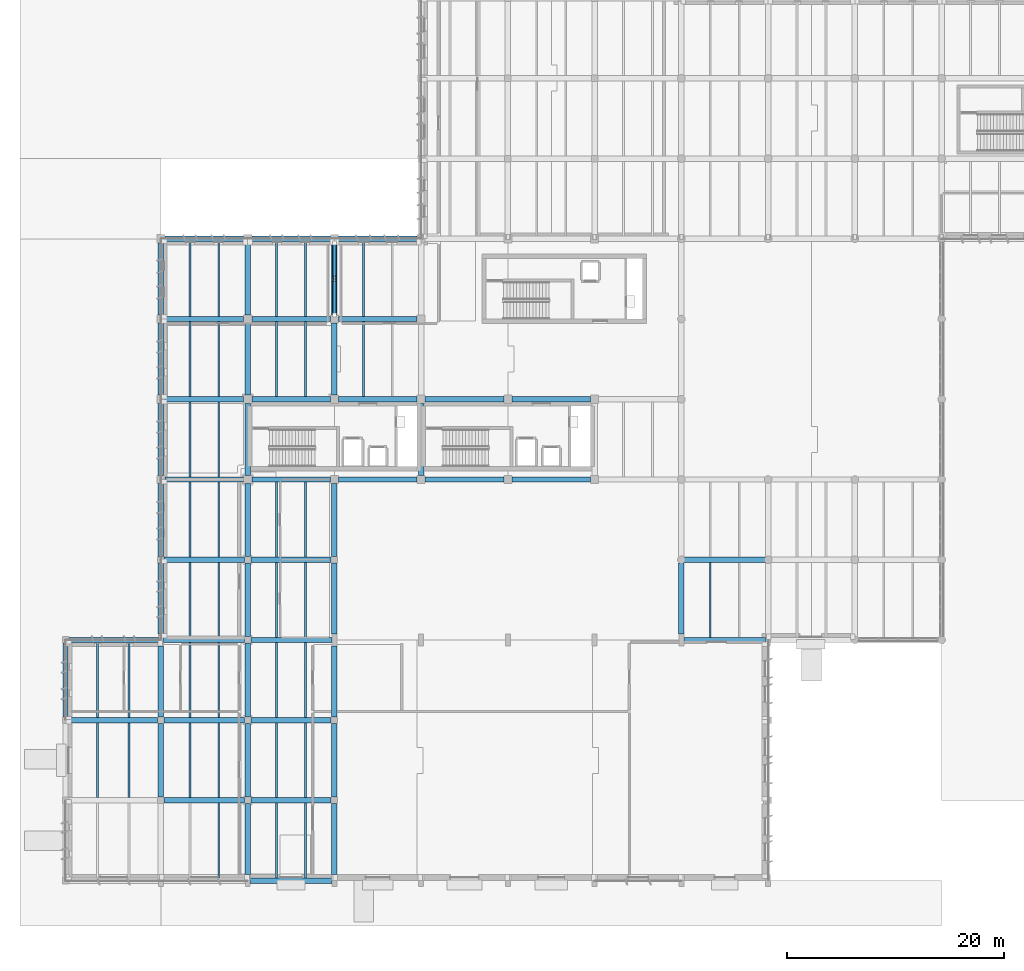
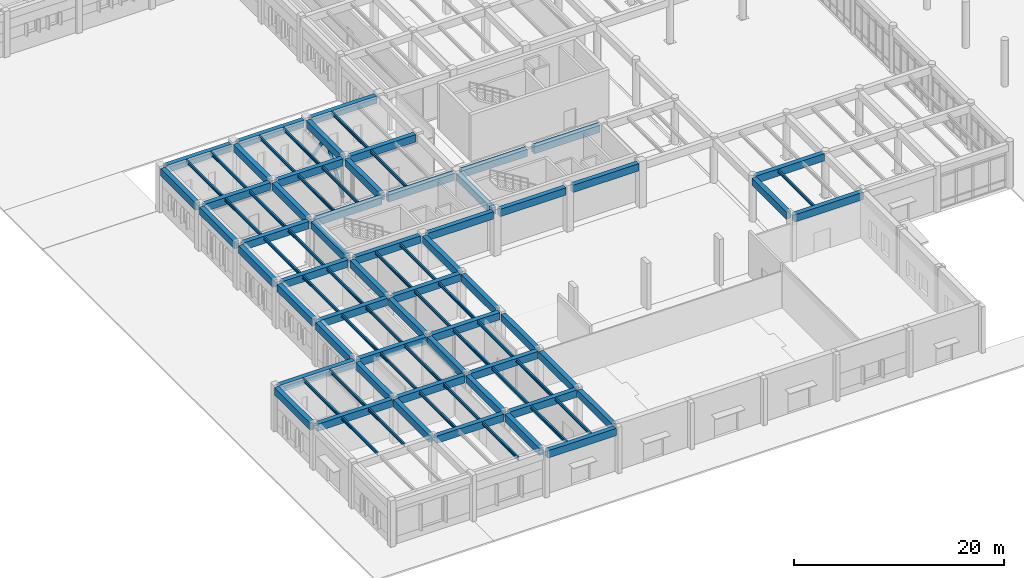
# One storey, part 2 of 56: 90 beams, 2 members.
"""IFC4 building model written with IfcOpenShell, lengths in metres."""

from ifc_helpers import new_model, si_unit, direction, frame, origin, origin_2d, place, context, subcontext, project, spatial, rectangle, hollow_circle, i_section, extrude, material, material_profile, profile_set, type_object, element, save


model = new_model("IFC4")

# Units and contexts
model_context = context("Model", 3, precision=1e-05, world=origin(), true_north=direction((0.0, 1.0)))
body_context = subcontext(model_context, "Body", "Model", "MODEL_VIEW")
ifc_project = project(units=[si_unit("LENGTHUNIT", "METRE"), si_unit("AREAUNIT", "SQUARE_METRE"), si_unit("VOLUMEUNIT", "CUBIC_METRE"), si_unit("PLANEANGLEUNIT", "RADIAN"), si_unit("MASSUNIT", "GRAM", prefix="KILO")], contexts=[model_context])

# Site, building, storey
site_placement = place(None, origin())
site = spatial("IfcSite", under=ifc_project, at=site_placement, CompositionType="ELEMENT")
building_placement = place(site_placement, origin())
building = spatial("IfcBuilding", under=site, at=building_placement, Name="Valkorina Park Police Headquarters", CompositionType="ELEMENT")
storey_placement = place(building_placement, origin())
storey = spatial("IfcBuildingStorey", under=building, at=storey_placement, Name="L01", CompositionType="ELEMENT", Elevation=0.0)

# Beams
ifc_material_1 = material(Name="Concrete C40/50", Category="concrete")
ifc_material_profile_1 = material_profile(ifc_material_1, rectangle(XDim=0.5, YDim=0.85009765625, at=origin_2d()), Name="RC BEAM 500x850")
ifc_profile_set_1 = profile_set([ifc_material_profile_1], Name="Concrete C40/50")
beam_type_1 = type_object("IfcBeamType", Name="BM-RC-500x850-EXT", PredefinedType="SPANDREL", material=ifc_profile_set_1)
beam_1_placement = place(storey_placement, frame((17.02490234375, 0.0, 4.715087890625), z_axis=(1.0, 0.0, 0.0), x_axis=(0.0, 1.0, 0.0)))
element("IfcBeam", 1, at=beam_1_placement, inside=storey, type_object=beam_type_1, Name="L01 Framing Beam 0706", PredefinedType="SPANDREL", context=body_context, shape_type="SweptSolid", body=[
    extrude(rectangle(XDim=0.5, YDim=0.85009765625, at=origin_2d()), origin(), (0.0, 0.0, 1.0), 7.550048828125),
])
beam_2_placement = place(storey_placement, frame((0.300048828125, 22.199951171875, 4.715087890625), z_axis=(1.0, 0.0, 0.0), x_axis=(0.0, 1.0, 0.0)))
element("IfcBeam", 2, at=beam_2_placement, inside=storey, type_object=beam_type_1, Name="L01 Framing Beam 0719", PredefinedType="SPANDREL", context=body_context, shape_type="SweptSolid", body=[
    extrude(rectangle(XDim=0.5, YDim=0.85009765625, at=origin_2d()), origin(), (0.0, 0.0, 1.0), 8.27490234375),
])
beam_3_placement = place(storey_placement, frame((57.02490234375, 22.199951171875, 4.715087890625), z_axis=(1.0, 0.0, 0.0), x_axis=(0.0, 1.0, 0.0)))
element("IfcBeam", 3, at=beam_3_placement, inside=storey, type_object=beam_type_1, Name="L01 Framing Beam 0722", PredefinedType="SPANDREL", context=body_context, shape_type="SweptSolid", body=[
    extrude(rectangle(XDim=0.5, YDim=0.85009765625, at=origin_2d()), origin(), (0.0, 0.0, 1.0), 7.550048828125),
])
for number, where, z_axis, x_axis, name in (
    (4, (25.175048828125, 37.0, 4.715087890625), (1.0, 0.0, 0.0), (0.0, 1.0, 0.0), "L01 Framing Beam 0738"),
    (5, (33.175048828125, 37.0, 4.715087890625), (1.0, 0.0, 0.0), (0.0, 1.0, 0.0), "L01 Framing Beam 0739"),
    (6, (41.175048828125, 37.0, 4.715087890625), (1.0, 0.0, 0.0), (0.0, 1.0, 0.0), "L01 Framing Beam 0740"),
    (7, (9.175048828125, 59.199951171875, 4.715087890625), (1.0, 0.0, 0.0), (0.0, 1.0, 0.0), "L01 Framing Beam 0763"),
    (8, (17.175048828125, 59.199951171875, 4.715087890625), (1.0, 0.0, 0.0), (0.0, 1.0, 0.0), "L01 Framing Beam 0764"),
    (9, (25.175048828125, 59.199951171875, 4.715087890625), (1.0, 0.0, 0.0), (0.0, 1.0, 0.0), "L01 Framing Beam 0765"),
):
    element("IfcBeam", number, at=place(storey_placement, frame(where, z_axis=z_axis, x_axis=x_axis)), inside=storey, type_object=beam_type_1, Name=name, PredefinedType="SPANDREL", context=body_context, shape_type="SweptSolid", body=[
        extrude(rectangle(XDim=0.5, YDim=0.85009765625, at=origin_2d()), origin(), (0.0, 0.0, 1.0), 7.25),
    ])
beam_4_placement = place(storey_placement, frame((0.0, 15.10009765625, 4.715087890625), z_axis=(0.0, 1.0, 0.0), x_axis=(-1.0, 0.0, 0.0)))
element("IfcBeam", 10, at=beam_4_placement, inside=storey, type_object=beam_type_1, Name="L01 Framing Beam 0873", PredefinedType="SPANDREL", context=body_context, shape_type="SweptSolid", body=[
    extrude(rectangle(XDim=0.5, YDim=0.85009765625, at=origin_2d()), origin(), (0.0, 0.0, 1.0), 6.7998046875),
])
beam_5_placement = place(storey_placement, frame((8.800048828125, 22.75, 4.715087890625), z_axis=(0.0, 1.0, 0.0), x_axis=(-1.0, 0.0, 0.0)))
element("IfcBeam", 11, at=beam_5_placement, inside=storey, type_object=beam_type_1, Name="L01 Framing Beam 0894", PredefinedType="SPANDREL", context=body_context, shape_type="SweptSolid", body=[
    extrude(rectangle(XDim=0.5, YDim=0.85009765625, at=origin_2d()), origin(), (0.0, 0.0, 1.0), 6.550048828125),
])
beam_6_placement = place(storey_placement, frame((8.800048828125, 29.89990234375, 4.715087890625), z_axis=(0.0, 1.0, 0.0), x_axis=(-1.0, 0.0, 0.0)))
element("IfcBeam", 12, at=beam_6_placement, inside=storey, type_object=beam_type_1, Name="L01 Framing Beam 0897", PredefinedType="SPANDREL", context=body_context, shape_type="SweptSolid", body=[
    extrude(rectangle(XDim=0.5, YDim=0.85009765625, at=origin_2d()), origin(), (0.0, 0.0, 1.0), 6.72509765625),
])
beam_7_placement = place(storey_placement, frame((8.800048828125, 37.375, 4.715087890625), z_axis=(0.0, 1.0, 0.0), x_axis=(-1.0, 0.0, 0.0)))
element("IfcBeam", 13, at=beam_7_placement, inside=storey, type_object=beam_type_1, Name="L01 Framing Beam 0900", PredefinedType="SPANDREL", context=body_context, shape_type="SweptSolid", body=[
    extrude(rectangle(XDim=0.5, YDim=0.85009765625, at=origin_2d()), origin(), (0.0, 0.0, 1.0), 6.64990234375),
])
beam_8_placement = place(storey_placement, frame((8.800048828125, 44.77490234375, 4.715087890625), z_axis=(0.0, 1.0, 0.0), x_axis=(-1.0, 0.0, 0.0)))
element("IfcBeam", 14, at=beam_8_placement, inside=storey, type_object=beam_type_1, Name="L01 Framing Beam 0903", PredefinedType="SPANDREL", context=body_context, shape_type="SweptSolid", body=[
    extrude(rectangle(XDim=0.5, YDim=0.85009765625, at=origin_2d()), origin(), (0.0, 0.0, 1.0), 6.650146484375),
])
beam_9_placement = place(storey_placement, frame((8.800048828125, 52.175048828125, 4.715087890625), z_axis=(0.0, 1.0, 0.0), x_axis=(-1.0, 0.0, 0.0)))
element("IfcBeam", 15, at=beam_9_placement, inside=storey, type_object=beam_type_1, Name="L01 Framing Beam 0906", PredefinedType="SPANDREL", context=body_context, shape_type="SweptSolid", body=[
    extrude(rectangle(XDim=0.5, YDim=0.85009765625, at=origin_2d()), origin(), (0.0, 0.0, 1.0), 6.64990234375),
])
beam_10_placement = place(storey_placement, frame((24.800048828125, 0.550048828125, 4.715087890625), z_axis=(0.0, 1.0, 0.0), x_axis=(-1.0, 0.0, 0.0)))
element("IfcBeam", 16, at=beam_10_placement, inside=storey, type_object=beam_type_1, Name="L01 Framing Beam 0949", PredefinedType="SPANDREL", context=body_context, shape_type="SweptSolid", body=[
    extrude(rectangle(XDim=0.5, YDim=0.85009765625, at=origin_2d()), origin(), (0.0, 0.0, 1.0), 6.550048828125),
])
beam_11_placement = place(storey_placement, frame((24.800048828125, 7.699951171875, 4.715087890625), z_axis=(0.0, 1.0, 0.0), x_axis=(-1.0, 0.0, 0.0)))
element("IfcBeam", 17, at=beam_11_placement, inside=storey, type_object=beam_type_1, Name="L01 Framing Beam 0950", PredefinedType="SPANDREL", context=body_context, shape_type="SweptSolid", body=[
    extrude(rectangle(XDim=0.5, YDim=0.85009765625, at=origin_2d()), origin(), (0.0, 0.0, 1.0), 6.800048828125),
])
beam_12_placement = place(storey_placement, frame((24.800048828125, 15.10009765625, 4.715087890625), z_axis=(0.0, 1.0, 0.0), x_axis=(-1.0, 0.0, 0.0)))
element("IfcBeam", 18, at=beam_12_placement, inside=storey, type_object=beam_type_1, Name="L01 Framing Beam 0951", PredefinedType="SPANDREL", context=body_context, shape_type="SweptSolid", body=[
    extrude(rectangle(XDim=0.5, YDim=0.85009765625, at=origin_2d()), origin(), (0.0, 0.0, 1.0), 6.5498046875),
])
beam_13_placement = place(storey_placement, frame((24.800048828125, 22.75, 4.715087890625), z_axis=(0.0, 1.0, 0.0), x_axis=(-1.0, 0.0, 0.0)))
element("IfcBeam", 19, at=beam_13_placement, inside=storey, type_object=beam_type_1, Name="L01 Framing Beam 0952", PredefinedType="SPANDREL", context=body_context, shape_type="SweptSolid", body=[
    extrude(rectangle(XDim=0.5, YDim=0.85009765625, at=origin_2d()), origin(), (0.0, 0.0, 1.0), 6.550048828125),
])
beam_14_placement = place(storey_placement, frame((24.800048828125, 29.89990234375, 4.715087890625), z_axis=(0.0, 1.0, 0.0), x_axis=(-1.0, 0.0, 0.0)))
element("IfcBeam", 20, at=beam_14_placement, inside=storey, type_object=beam_type_1, Name="L01 Framing Beam 0953", PredefinedType="SPANDREL", context=body_context, shape_type="SweptSolid", body=[
    extrude(rectangle(XDim=0.5, YDim=0.85009765625, at=origin_2d()), origin(), (0.0, 0.0, 1.0), 6.72509765625),
])
beam_15_placement = place(storey_placement, frame((56.800048828125, 22.75, 4.715087890625), z_axis=(0.0, 1.0, 0.0), x_axis=(-1.0, 0.0, 0.0)))
element("IfcBeam", 21, at=beam_15_placement, inside=storey, type_object=beam_type_1, Name="L01 Framing Beam 1022", PredefinedType="SPANDREL", context=body_context, shape_type="SweptSolid", body=[
    extrude(rectangle(XDim=0.5, YDim=0.85009765625, at=origin_2d()), origin(), (0.0, 0.0, 1.0), 6.53369140625),
])
ifc_material_profile_2 = material_profile(ifc_material_1, rectangle(XDim=0.5, YDim=0.85009765625, at=origin_2d()), Name="RC BEAM 500x850")
ifc_profile_set_2 = profile_set([ifc_material_profile_2], Name="Concrete C40/50")
beam_type_2 = type_object("IfcBeamType", Name="BM-RC-500x850-INT", PredefinedType="BEAM", material=ifc_profile_set_2)
for number, where, z_axis, x_axis, name in (
    (22, (9.10009765625, 7.39990234375, 4.715087890625), (1.0, 0.0, 0.0), (0.0, 1.0, 0.0), "L01 Framing Beam 0708"),
    (23, (17.10009765625, 7.39990234375, 4.715087890625), (1.0, 0.0, 0.0), (0.0, 1.0, 0.0), "L01 Framing Beam 0709"),
):
    element("IfcBeam", number, at=place(storey_placement, frame(where, z_axis=z_axis, x_axis=x_axis)), inside=storey, type_object=beam_type_2, Name=name, PredefinedType="BEAM", context=body_context, shape_type="SweptSolid", body=[
        extrude(rectangle(XDim=0.5, YDim=0.85009765625, at=origin_2d()), origin(), (0.0, 0.0, 1.0), 7.39990234375),
    ])
beam_16_placement = place(storey_placement, frame((0.300048828125, 14.800048828125, 4.715087890625), z_axis=(1.0, 0.0, 0.0), x_axis=(0.0, 1.0, 0.0)))
element("IfcBeam", 24, at=beam_16_placement, inside=storey, type_object=beam_type_2, Name="L01 Framing Beam 0713", PredefinedType="BEAM", context=body_context, shape_type="SweptSolid", body=[
    extrude(rectangle(XDim=0.5, YDim=0.85009765625, at=origin_2d()), origin(), (0.0, 0.0, 1.0), 8.199951171875),
])
for number, where, z_axis, x_axis, name in (
    (25, (9.10009765625, 14.800048828125, 4.715087890625), (1.0, 0.0, 0.0), (0.0, 1.0, 0.0), "L01 Framing Beam 0714"),
    (26, (17.10009765625, 14.800048828125, 4.715087890625), (1.0, 0.0, 0.0), (0.0, 1.0, 0.0), "L01 Framing Beam 0715"),
):
    element("IfcBeam", number, at=place(storey_placement, frame(where, z_axis=z_axis, x_axis=x_axis)), inside=storey, type_object=beam_type_2, Name=name, PredefinedType="BEAM", context=body_context, shape_type="SweptSolid", body=[
        extrude(rectangle(XDim=0.5, YDim=0.85009765625, at=origin_2d()), origin(), (0.0, 0.0, 1.0), 7.39990234375),
    ])
beam_17_placement = place(storey_placement, frame((9.02490234375, 22.199951171875, 4.715087890625), z_axis=(1.0, 0.0, 0.0), x_axis=(0.0, 1.0, 0.0)))
element("IfcBeam", 27, at=beam_17_placement, inside=storey, type_object=beam_type_2, Name="L01 Framing Beam 0720", PredefinedType="BEAM", context=body_context, shape_type="SweptSolid", body=[
    extrude(rectangle(XDim=0.5, YDim=0.85009765625, at=origin_2d()), origin(), (0.0, 0.0, 1.0), 7.47509765625),
])
beam_18_placement = place(storey_placement, frame((17.10009765625, 22.199951171875, 4.715087890625), z_axis=(1.0, 0.0, 0.0), x_axis=(0.0, 1.0, 0.0)))
element("IfcBeam", 28, at=beam_18_placement, inside=storey, type_object=beam_type_2, Name="L01 Framing Beam 0721", PredefinedType="BEAM", context=body_context, shape_type="SweptSolid", body=[
    extrude(rectangle(XDim=0.5, YDim=0.85009765625, at=origin_2d()), origin(), (0.0, 0.0, 1.0), 7.474853515625),
])
for number, where, z_axis, x_axis, name in (
    (29, (9.10009765625, 29.60009765625, 4.715087890625), (1.0, 0.0, 0.0), (0.0, 1.0, 0.0), "L01 Framing Beam 0728"),
    (30, (17.10009765625, 29.60009765625, 4.715087890625), (1.0, 0.0, 0.0), (0.0, 1.0, 0.0), "L01 Framing Beam 0729"),
):
    element("IfcBeam", number, at=place(storey_placement, frame(where, z_axis=z_axis, x_axis=x_axis)), inside=storey, type_object=beam_type_2, Name=name, PredefinedType="BEAM", context=body_context, shape_type="SweptSolid", body=[
        extrude(rectangle(XDim=0.5, YDim=0.85009765625, at=origin_2d()), origin(), (0.0, 0.0, 1.0), 7.39990234375),
    ])
beam_19_placement = place(storey_placement, frame((57.044921875, 29.60009765625, 4.715087890625), z_axis=(1.0, 0.0, 0.0), x_axis=(0.0, 1.0, 0.0)))
element("IfcBeam", 31, at=beam_19_placement, inside=storey, type_object=beam_type_2, Name="L01 Framing Beam 0730", PredefinedType="BEAM", context=body_context, shape_type="SweptSolid", body=[
    extrude(rectangle(XDim=0.5, YDim=0.85009765625, at=origin_2d()), origin(), (0.0, 0.0, 1.0), 7.51025390625),
])
for number, where, z_axis, x_axis, name in (
    (32, (9.175048828125, 37.0, 4.715087890625), (1.0, 0.0, 0.0), (0.0, 1.0, 0.0), "L01 Framing Beam 0736"),
    (33, (17.175048828125, 37.0, 4.715087890625), (1.0, 0.0, 0.0), (0.0, 1.0, 0.0), "L01 Framing Beam 0737"),
    (34, (9.175048828125, 44.39990234375, 4.715087890625), (1.0, 0.0, 0.0), (0.0, 1.0, 0.0), "L01 Framing Beam 0748"),
    (35, (17.175048828125, 44.39990234375, 4.715087890625), (1.0, 0.0, 0.0), (0.0, 1.0, 0.0), "L01 Framing Beam 0749"),
    (36, (25.175048828125, 44.39990234375, 4.715087890625), (1.0, 0.0, 0.0), (0.0, 1.0, 0.0), "L01 Framing Beam 0750"),
    (37, (33.175048828125, 44.39990234375, 4.715087890625), (1.0, 0.0, 0.0), (0.0, 1.0, 0.0), "L01 Framing Beam 0751"),
    (38, (41.175048828125, 44.39990234375, 4.715087890625), (1.0, 0.0, 0.0), (0.0, 1.0, 0.0), "L01 Framing Beam 0752"),
    (39, (9.175048828125, 51.800048828125, 4.715087890625), (1.0, 0.0, 0.0), (0.0, 1.0, 0.0), "L01 Framing Beam 0757"),
    (40, (17.175048828125, 51.800048828125, 4.715087890625), (1.0, 0.0, 0.0), (0.0, 1.0, 0.0), "L01 Framing Beam 0758"),
    (41, (25.175048828125, 51.800048828125, 4.715087890625), (1.0, 0.0, 0.0), (0.0, 1.0, 0.0), "L01 Framing Beam 0759"),
):
    element("IfcBeam", number, at=place(storey_placement, frame(where, z_axis=z_axis, x_axis=x_axis)), inside=storey, type_object=beam_type_2, Name=name, PredefinedType="BEAM", context=body_context, shape_type="SweptSolid", body=[
        extrude(rectangle(XDim=0.5, YDim=0.85009765625, at=origin_2d()), origin(), (0.0, 0.0, 1.0), 7.25),
    ])
beam_20_placement = place(storey_placement, frame((8.800048828125, 7.699951171875, 4.715087890625), z_axis=(0.0, 1.0, 0.0), x_axis=(-1.0, 0.0, 0.0)))
element("IfcBeam", 42, at=beam_20_placement, inside=storey, type_object=beam_type_2, Name="L01 Framing Beam 0888", PredefinedType="BEAM", context=body_context, shape_type="SweptSolid", body=[
    extrude(rectangle(XDim=0.5, YDim=0.85009765625, at=origin_2d()), origin(), (0.0, 0.0, 1.0), 6.800048828125),
])
beam_21_placement = place(storey_placement, frame((8.800048828125, 15.10009765625, 4.715087890625), z_axis=(0.0, 1.0, 0.0), x_axis=(-1.0, 0.0, 0.0)))
element("IfcBeam", 43, at=beam_21_placement, inside=storey, type_object=beam_type_2, Name="L01 Framing Beam 0891", PredefinedType="BEAM", context=body_context, shape_type="SweptSolid", body=[
    extrude(rectangle(XDim=0.5, YDim=0.85009765625, at=origin_2d()), origin(), (0.0, 0.0, 1.0), 6.5498046875),
])
beam_22_placement = place(storey_placement, frame((16.800048828125, 0.550048828125, 4.715087890625), z_axis=(0.0, 1.0, 0.0), x_axis=(-1.0, 0.0, 0.0)))
element("IfcBeam", 44, at=beam_22_placement, inside=storey, type_object=beam_type_2, Name="L01 Framing Beam 0918", PredefinedType="BEAM", context=body_context, shape_type="SweptSolid", body=[
    extrude(rectangle(XDim=0.5, YDim=0.85009765625, at=origin_2d()), origin(), (0.0, 0.0, 1.0), 6.550048828125),
])
beam_23_placement = place(storey_placement, frame((16.800048828125, 7.699951171875, 4.715087890625), z_axis=(0.0, 1.0, 0.0), x_axis=(-1.0, 0.0, 0.0)))
element("IfcBeam", 45, at=beam_23_placement, inside=storey, type_object=beam_type_2, Name="L01 Framing Beam 0921", PredefinedType="BEAM", context=body_context, shape_type="SweptSolid", body=[
    extrude(rectangle(XDim=0.5, YDim=0.85009765625, at=origin_2d()), origin(), (0.0, 0.0, 1.0), 6.800048828125),
])
beam_24_placement = place(storey_placement, frame((16.800048828125, 15.10009765625, 4.715087890625), z_axis=(0.0, 1.0, 0.0), x_axis=(-1.0, 0.0, 0.0)))
element("IfcBeam", 46, at=beam_24_placement, inside=storey, type_object=beam_type_2, Name="L01 Framing Beam 0924", PredefinedType="BEAM", context=body_context, shape_type="SweptSolid", body=[
    extrude(rectangle(XDim=0.5, YDim=0.85009765625, at=origin_2d()), origin(), (0.0, 0.0, 1.0), 6.7998046875),
])
beam_25_placement = place(storey_placement, frame((16.800048828125, 22.5, 4.715087890625), z_axis=(0.0, 1.0, 0.0), x_axis=(-1.0, 0.0, 0.0)))
element("IfcBeam", 47, at=beam_25_placement, inside=storey, type_object=beam_type_2, Name="L01 Framing Beam 0927", PredefinedType="BEAM", context=body_context, shape_type="SweptSolid", body=[
    extrude(rectangle(XDim=0.5, YDim=0.85009765625, at=origin_2d()), origin(), (0.0, 0.0, 1.0), 6.800048828125),
])
beam_26_placement = place(storey_placement, frame((16.800048828125, 29.89990234375, 4.715087890625), z_axis=(0.0, 1.0, 0.0), x_axis=(-1.0, 0.0, 0.0)))
element("IfcBeam", 48, at=beam_26_placement, inside=storey, type_object=beam_type_2, Name="L01 Framing Beam 0930", PredefinedType="BEAM", context=body_context, shape_type="SweptSolid", body=[
    extrude(rectangle(XDim=0.5, YDim=0.85009765625, at=origin_2d()), origin(), (0.0, 0.0, 1.0), 6.72509765625),
])
beam_27_placement = place(storey_placement, frame((16.800048828125, 37.375, 4.715087890625), z_axis=(0.0, 1.0, 0.0), x_axis=(-1.0, 0.0, 0.0)))
element("IfcBeam", 49, at=beam_27_placement, inside=storey, type_object=beam_type_2, Name="L01 Framing Beam 0933", PredefinedType="BEAM", context=body_context, shape_type="SweptSolid", body=[
    extrude(rectangle(XDim=0.5, YDim=0.85009765625, at=origin_2d()), origin(), (0.0, 0.0, 1.0), 6.64990234375),
])
beam_28_placement = place(storey_placement, frame((16.800048828125, 44.77490234375, 4.715087890625), z_axis=(0.0, 1.0, 0.0), x_axis=(-1.0, 0.0, 0.0)))
element("IfcBeam", 50, at=beam_28_placement, inside=storey, type_object=beam_type_2, Name="L01 Framing Beam 0934", PredefinedType="BEAM", context=body_context, shape_type="SweptSolid", body=[
    extrude(rectangle(XDim=0.5, YDim=0.85009765625, at=origin_2d()), origin(), (0.0, 0.0, 1.0), 6.650146484375),
])
beam_29_placement = place(storey_placement, frame((16.800048828125, 52.175048828125, 4.715087890625), z_axis=(0.0, 1.0, 0.0), x_axis=(-1.0, 0.0, 0.0)))
element("IfcBeam", 51, at=beam_29_placement, inside=storey, type_object=beam_type_2, Name="L01 Framing Beam 0937", PredefinedType="BEAM", context=body_context, shape_type="SweptSolid", body=[
    extrude(rectangle(XDim=0.5, YDim=0.85009765625, at=origin_2d()), origin(), (0.0, 0.0, 1.0), 6.64990234375),
])
beam_30_placement = place(storey_placement, frame((24.800048828125, 44.77490234375, 4.715087890625), z_axis=(0.0, 1.0, 0.0), x_axis=(-1.0, 0.0, 0.0)))
element("IfcBeam", 52, at=beam_30_placement, inside=storey, type_object=beam_type_2, Name="L01 Framing Beam 0954", PredefinedType="BEAM", context=body_context, shape_type="SweptSolid", body=[
    extrude(rectangle(XDim=0.5, YDim=0.85009765625, at=origin_2d()), origin(), (0.0, 0.0, 1.0), 6.650146484375),
])
for number, where, z_axis, x_axis, name in (
    (53, (24.800048828125, 52.175048828125, 4.715087890625), (0.0, 1.0, 0.0), (-1.0, 0.0, 0.0), "L01 Framing Beam 0957"),
    (54, (32.800048828125, 37.375, 4.715087890625), (0.0, 1.0, 0.0), (-1.0, 0.0, 0.0), "L01 Framing Beam 0969"),
):
    element("IfcBeam", number, at=place(storey_placement, frame(where, z_axis=z_axis, x_axis=x_axis)), inside=storey, type_object=beam_type_2, Name=name, PredefinedType="BEAM", context=body_context, shape_type="SweptSolid", body=[
        extrude(rectangle(XDim=0.5, YDim=0.85009765625, at=origin_2d()), origin(), (0.0, 0.0, 1.0), 6.64990234375),
    ])
ifc_material_2 = material(Name="Steel S355", Category="steel")
ifc_material_profile_3 = material_profile(ifc_material_2, i_section(OverallWidth=0.169921875, OverallDepth=0.360107421875, WebThickness=0.008056640625, FlangeThickness=0.0126953125, FilletRadius=0.01806640625, at=origin_2d()), Name="IPE 360")
ifc_profile_set_3 = profile_set([ifc_material_profile_3], Name="Steel S355")
beam_type_3 = type_object("IfcBeamType", Name="BM-S355-IPE360-JST", PredefinedType="JOIST", material=ifc_profile_set_3)
for number, where, z_axis, x_axis, name in (
    (55, (2.933349609375, 7.64990234375, 4.9599609375), (0.0, 1.0, 0.0), (-1.0, 0.0, 0.0), "L01 Framing Beam 0871"),
    (56, (5.86669921875, 7.64990234375, 4.9599609375), (0.0, 1.0, 0.0), (-1.0, 0.0, 0.0), "L01 Framing Beam 0872"),
):
    element("IfcBeam", number, at=place(storey_placement, frame(where, z_axis=z_axis, x_axis=x_axis)), inside=storey, type_object=beam_type_3, Name=name, PredefinedType="JOIST", context=body_context, shape_type="SweptSolid", body=[
        extrude(i_section(OverallWidth=0.169921875, OverallDepth=0.360107421875, WebThickness=0.008056640625, FlangeThickness=0.0126953125, FilletRadius=0.01806640625, at=origin_2d()), origin(), (0.0, 0.0, 1.0), 6.900146484375),
    ])
for number, where, z_axis, x_axis, name in (
    (57, (2.933349609375, 15.050048828125, 4.9599609375), (0.0, 1.0, 0.0), (-1.0, 0.0, 0.0), "L01 Framing Beam 0874"),
    (58, (5.86669921875, 15.050048828125, 4.9599609375), (0.0, 1.0, 0.0), (-1.0, 0.0, 0.0), "L01 Framing Beam 0875"),
    (59, (14.13330078125, 0.25, 4.9599609375), (0.0, 1.0, 0.0), (-1.0, 0.0, 0.0), "L01 Framing Beam 0887"),
):
    element("IfcBeam", number, at=place(storey_placement, frame(where, z_axis=z_axis, x_axis=x_axis)), inside=storey, type_object=beam_type_3, Name=name, PredefinedType="JOIST", context=body_context, shape_type="SweptSolid", body=[
        extrude(i_section(OverallWidth=0.169921875, OverallDepth=0.360107421875, WebThickness=0.008056640625, FlangeThickness=0.0126953125, FilletRadius=0.01806640625, at=origin_2d()), origin(), (0.0, 0.0, 1.0), 6.89990234375),
    ])
for number, where, z_axis, x_axis, name in (
    (60, (11.466796875, 7.64990234375, 4.9599609375), (0.0, 1.0, 0.0), (-1.0, 0.0, 0.0), "L01 Framing Beam 0889"),
    (61, (14.13330078125, 7.64990234375, 4.9599609375), (0.0, 1.0, 0.0), (-1.0, 0.0, 0.0), "L01 Framing Beam 0890"),
):
    element("IfcBeam", number, at=place(storey_placement, frame(where, z_axis=z_axis, x_axis=x_axis)), inside=storey, type_object=beam_type_3, Name=name, PredefinedType="JOIST", context=body_context, shape_type="SweptSolid", body=[
        extrude(i_section(OverallWidth=0.169921875, OverallDepth=0.360107421875, WebThickness=0.008056640625, FlangeThickness=0.0126953125, FilletRadius=0.01806640625, at=origin_2d()), origin(), (0.0, 0.0, 1.0), 6.900146484375),
    ])
for number, where, z_axis, x_axis, name in (
    (62, (11.466796875, 15.050048828125, 4.9599609375), (0.0, 1.0, 0.0), (-1.0, 0.0, 0.0), "L01 Framing Beam 0892"),
    (63, (14.13330078125, 15.050048828125, 4.9599609375), (0.0, 1.0, 0.0), (-1.0, 0.0, 0.0), "L01 Framing Beam 0893"),
):
    element("IfcBeam", number, at=place(storey_placement, frame(where, z_axis=z_axis, x_axis=x_axis)), inside=storey, type_object=beam_type_3, Name=name, PredefinedType="JOIST", context=body_context, shape_type="SweptSolid", body=[
        extrude(i_section(OverallWidth=0.169921875, OverallDepth=0.360107421875, WebThickness=0.008056640625, FlangeThickness=0.0126953125, FilletRadius=0.01806640625, at=origin_2d()), origin(), (0.0, 0.0, 1.0), 6.89990234375),
    ])
for number, where, z_axis, x_axis, name in (
    (64, (11.466796875, 22.449951171875, 4.9599609375), (0.0, 1.0, 0.0), (-1.0, 0.0, 0.0), "L01 Framing Beam 0895"),
    (65, (14.13330078125, 22.449951171875, 4.9599609375), (0.0, 1.0, 0.0), (-1.0, 0.0, 0.0), "L01 Framing Beam 0896"),
):
    element("IfcBeam", number, at=place(storey_placement, frame(where, z_axis=z_axis, x_axis=x_axis)), inside=storey, type_object=beam_type_3, Name=name, PredefinedType="JOIST", context=body_context, shape_type="SweptSolid", body=[
        extrude(i_section(OverallWidth=0.169921875, OverallDepth=0.360107421875, WebThickness=0.008056640625, FlangeThickness=0.0126953125, FilletRadius=0.01806640625, at=origin_2d()), origin(), (0.0, 0.0, 1.0), 6.900146484375),
    ])
for number, where, z_axis, x_axis, name in (
    (66, (11.466796875, 29.85009765625, 4.9599609375), (0.0, 1.0, 0.0), (-1.0, 0.0, 0.0), "L01 Framing Beam 0898"),
    (67, (14.13330078125, 29.85009765625, 4.9599609375), (0.0, 1.0, 0.0), (-1.0, 0.0, 0.0), "L01 Framing Beam 0899"),
    (68, (11.466796875, 37.25, 4.9599609375), (0.0, 1.0, 0.0), (-1.0, 0.0, 0.0), "L01 Framing Beam 0901"),
    (69, (14.13330078125, 37.25, 4.9599609375), (0.0, 1.0, 0.0), (-1.0, 0.0, 0.0), "L01 Framing Beam 0902"),
):
    element("IfcBeam", number, at=place(storey_placement, frame(where, z_axis=z_axis, x_axis=x_axis)), inside=storey, type_object=beam_type_3, Name=name, PredefinedType="JOIST", context=body_context, shape_type="SweptSolid", body=[
        extrude(i_section(OverallWidth=0.169921875, OverallDepth=0.360107421875, WebThickness=0.008056640625, FlangeThickness=0.0126953125, FilletRadius=0.01806640625, at=origin_2d()), origin(), (0.0, 0.0, 1.0), 6.89990234375),
    ])
for number, where, z_axis, x_axis, name in (
    (70, (11.466796875, 44.64990234375, 4.9599609375), (0.0, 1.0, 0.0), (-1.0, 0.0, 0.0), "L01 Framing Beam 0904"),
    (71, (14.13330078125, 44.64990234375, 4.9599609375), (0.0, 1.0, 0.0), (-1.0, 0.0, 0.0), "L01 Framing Beam 0905"),
):
    element("IfcBeam", number, at=place(storey_placement, frame(where, z_axis=z_axis, x_axis=x_axis)), inside=storey, type_object=beam_type_3, Name=name, PredefinedType="JOIST", context=body_context, shape_type="SweptSolid", body=[
        extrude(i_section(OverallWidth=0.169921875, OverallDepth=0.360107421875, WebThickness=0.008056640625, FlangeThickness=0.0126953125, FilletRadius=0.01806640625, at=origin_2d()), origin(), (0.0, 0.0, 1.0), 6.900146484375),
    ])
for number, where, z_axis, x_axis, name in (
    (72, (11.466796875, 52.050048828125, 4.9599609375), (0.0, 1.0, 0.0), (-1.0, 0.0, 0.0), "L01 Framing Beam 0907"),
    (73, (14.13330078125, 52.050048828125, 4.9599609375), (0.0, 1.0, 0.0), (-1.0, 0.0, 0.0), "L01 Framing Beam 0908"),
    (74, (19.466796875, 0.25, 4.9599609375), (0.0, 1.0, 0.0), (-1.0, 0.0, 0.0), "L01 Framing Beam 0919"),
    (75, (22.13330078125, 0.25, 4.9599609375), (0.0, 1.0, 0.0), (-1.0, 0.0, 0.0), "L01 Framing Beam 0920"),
):
    element("IfcBeam", number, at=place(storey_placement, frame(where, z_axis=z_axis, x_axis=x_axis)), inside=storey, type_object=beam_type_3, Name=name, PredefinedType="JOIST", context=body_context, shape_type="SweptSolid", body=[
        extrude(i_section(OverallWidth=0.169921875, OverallDepth=0.360107421875, WebThickness=0.008056640625, FlangeThickness=0.0126953125, FilletRadius=0.01806640625, at=origin_2d()), origin(), (0.0, 0.0, 1.0), 6.89990234375),
    ])
for number, where, z_axis, x_axis, name in (
    (76, (19.466796875, 7.64990234375, 4.9599609375), (0.0, 1.0, 0.0), (-1.0, 0.0, 0.0), "L01 Framing Beam 0922"),
    (77, (22.13330078125, 7.64990234375, 4.9599609375), (0.0, 1.0, 0.0), (-1.0, 0.0, 0.0), "L01 Framing Beam 0923"),
):
    element("IfcBeam", number, at=place(storey_placement, frame(where, z_axis=z_axis, x_axis=x_axis)), inside=storey, type_object=beam_type_3, Name=name, PredefinedType="JOIST", context=body_context, shape_type="SweptSolid", body=[
        extrude(i_section(OverallWidth=0.169921875, OverallDepth=0.360107421875, WebThickness=0.008056640625, FlangeThickness=0.0126953125, FilletRadius=0.01806640625, at=origin_2d()), origin(), (0.0, 0.0, 1.0), 6.900146484375),
    ])
for number, where, z_axis, x_axis, name in (
    (78, (19.466796875, 15.050048828125, 4.9599609375), (0.0, 1.0, 0.0), (-1.0, 0.0, 0.0), "L01 Framing Beam 0925"),
    (79, (22.13330078125, 15.050048828125, 4.9599609375), (0.0, 1.0, 0.0), (-1.0, 0.0, 0.0), "L01 Framing Beam 0926"),
):
    element("IfcBeam", number, at=place(storey_placement, frame(where, z_axis=z_axis, x_axis=x_axis)), inside=storey, type_object=beam_type_3, Name=name, PredefinedType="JOIST", context=body_context, shape_type="SweptSolid", body=[
        extrude(i_section(OverallWidth=0.169921875, OverallDepth=0.360107421875, WebThickness=0.008056640625, FlangeThickness=0.0126953125, FilletRadius=0.01806640625, at=origin_2d()), origin(), (0.0, 0.0, 1.0), 6.89990234375),
    ])
for number, where, z_axis, x_axis, name in (
    (80, (19.466796875, 22.449951171875, 4.9599609375), (0.0, 1.0, 0.0), (-1.0, 0.0, 0.0), "L01 Framing Beam 0928"),
    (81, (22.13330078125, 22.449951171875, 4.9599609375), (0.0, 1.0, 0.0), (-1.0, 0.0, 0.0), "L01 Framing Beam 0929"),
):
    element("IfcBeam", number, at=place(storey_placement, frame(where, z_axis=z_axis, x_axis=x_axis)), inside=storey, type_object=beam_type_3, Name=name, PredefinedType="JOIST", context=body_context, shape_type="SweptSolid", body=[
        extrude(i_section(OverallWidth=0.169921875, OverallDepth=0.360107421875, WebThickness=0.008056640625, FlangeThickness=0.0126953125, FilletRadius=0.01806640625, at=origin_2d()), origin(), (0.0, 0.0, 1.0), 6.900146484375),
    ])
for number, where, z_axis, x_axis, name in (
    (82, (19.466796875, 29.85009765625, 4.9599609375), (0.0, 1.0, 0.0), (-1.0, 0.0, 0.0), "L01 Framing Beam 0931"),
    (83, (22.13330078125, 29.85009765625, 4.9599609375), (0.0, 1.0, 0.0), (-1.0, 0.0, 0.0), "L01 Framing Beam 0932"),
):
    element("IfcBeam", number, at=place(storey_placement, frame(where, z_axis=z_axis, x_axis=x_axis)), inside=storey, type_object=beam_type_3, Name=name, PredefinedType="JOIST", context=body_context, shape_type="SweptSolid", body=[
        extrude(i_section(OverallWidth=0.169921875, OverallDepth=0.360107421875, WebThickness=0.008056640625, FlangeThickness=0.0126953125, FilletRadius=0.01806640625, at=origin_2d()), origin(), (0.0, 0.0, 1.0), 6.89990234375),
    ])
for number, where, z_axis, x_axis, name in (
    (84, (19.466796875, 44.64990234375, 4.9599609375), (0.0, 1.0, 0.0), (-1.0, 0.0, 0.0), "L01 Framing Beam 0935"),
    (85, (22.13330078125, 44.64990234375, 4.9599609375), (0.0, 1.0, 0.0), (-1.0, 0.0, 0.0), "L01 Framing Beam 0936"),
):
    element("IfcBeam", number, at=place(storey_placement, frame(where, z_axis=z_axis, x_axis=x_axis)), inside=storey, type_object=beam_type_3, Name=name, PredefinedType="JOIST", context=body_context, shape_type="SweptSolid", body=[
        extrude(i_section(OverallWidth=0.169921875, OverallDepth=0.360107421875, WebThickness=0.008056640625, FlangeThickness=0.0126953125, FilletRadius=0.01806640625, at=origin_2d()), origin(), (0.0, 0.0, 1.0), 6.900146484375),
    ])
for number, where, z_axis, x_axis, name in (
    (86, (19.466796875, 52.050048828125, 4.9599609375), (0.0, 1.0, 0.0), (-1.0, 0.0, 0.0), "L01 Framing Beam 0938"),
    (87, (22.13330078125, 52.050048828125, 4.9599609375), (0.0, 1.0, 0.0), (-1.0, 0.0, 0.0), "L01 Framing Beam 0939"),
):
    element("IfcBeam", number, at=place(storey_placement, frame(where, z_axis=z_axis, x_axis=x_axis)), inside=storey, type_object=beam_type_3, Name=name, PredefinedType="JOIST", context=body_context, shape_type="SweptSolid", body=[
        extrude(i_section(OverallWidth=0.169921875, OverallDepth=0.360107421875, WebThickness=0.008056640625, FlangeThickness=0.0126953125, FilletRadius=0.01806640625, at=origin_2d()), origin(), (0.0, 0.0, 1.0), 6.89990234375),
    ])
beam_31_placement = place(storey_placement, frame((27.466796875, 44.64990234375, 4.9599609375), z_axis=(0.0, 1.0, 0.0), x_axis=(-1.0, 0.0, 0.0)))
element("IfcBeam", 88, at=beam_31_placement, inside=storey, type_object=beam_type_3, Name="L01 Framing Beam 0955", PredefinedType="JOIST", context=body_context, shape_type="SweptSolid", body=[
    extrude(i_section(OverallWidth=0.169921875, OverallDepth=0.360107421875, WebThickness=0.008056640625, FlangeThickness=0.0126953125, FilletRadius=0.01806640625, at=origin_2d()), origin(), (0.0, 0.0, 1.0), 6.900146484375),
])
beam_32_placement = place(storey_placement, frame((27.466796875, 52.050048828125, 4.9599609375), z_axis=(0.0, 1.0, 0.0), x_axis=(-1.0, 0.0, 0.0)))
element("IfcBeam", 89, at=beam_32_placement, inside=storey, type_object=beam_type_3, Name="L01 Framing Beam 0958", PredefinedType="JOIST", context=body_context, shape_type="SweptSolid", body=[
    extrude(i_section(OverallWidth=0.169921875, OverallDepth=0.360107421875, WebThickness=0.008056640625, FlangeThickness=0.0126953125, FilletRadius=0.01806640625, at=origin_2d()), origin(), (0.0, 0.0, 1.0), 6.89990234375),
])
beam_33_placement = place(storey_placement, frame((59.466796875, 22.449951171875, 4.9599609375), z_axis=(0.0, 1.0, 0.0), x_axis=(-1.0, 0.0, 0.0)))
element("IfcBeam", 90, at=beam_33_placement, inside=storey, type_object=beam_type_3, Name="L01 Framing Beam 1023", PredefinedType="JOIST", context=body_context, shape_type="SweptSolid", body=[
    extrude(i_section(OverallWidth=0.169921875, OverallDepth=0.360107421875, WebThickness=0.008056640625, FlangeThickness=0.0126953125, FilletRadius=0.01806640625, at=origin_2d()), origin(), (0.0, 0.0, 1.0), 6.900146484375),
])

# Members
ifc_material_profile_4 = material_profile(ifc_material_2, hollow_circle(Radius=0.177734375, WallThickness=0.01611328125, at=origin_2d()), Name="CHS 355.6x16")
ifc_profile_set_4 = profile_set([ifc_material_profile_4], Name="Steel S355")
member_type = type_object("IfcMemberType", Name="MB-S355-CHS355-BRC", PredefinedType="BRACE", material=ifc_profile_set_4)
for number, where, z_axis, x_axis, name in (
    (91, (24.800048828125, 52.175048828125, 0.10009765625), (0.0, 0.550521993628, 0.834820660101), (-1.0, 0.0, 0.0), "L01 Concentric Chevron Brace 003"),
    (92, (24.800048828125, 58.824951171875, 0.10009765625), (0.0, -0.550521993628, 0.834820660101), (1.0, 0.0, 0.0), "L01 Concentric Chevron Brace 004"),
):
    element("IfcMember", number, at=place(storey_placement, frame(where, z_axis=z_axis, x_axis=x_axis)), inside=storey, type_object=member_type, Name=name, PredefinedType="BRACE", context=body_context, shape_type="SweptSolid", body=[
        extrude(hollow_circle(Radius=0.177734375, WallThickness=0.01611328125, at=origin_2d()), origin(), (0.0, 0.0, 1.0), 5.821533203125),
    ])

save(model, "model.ifc")
